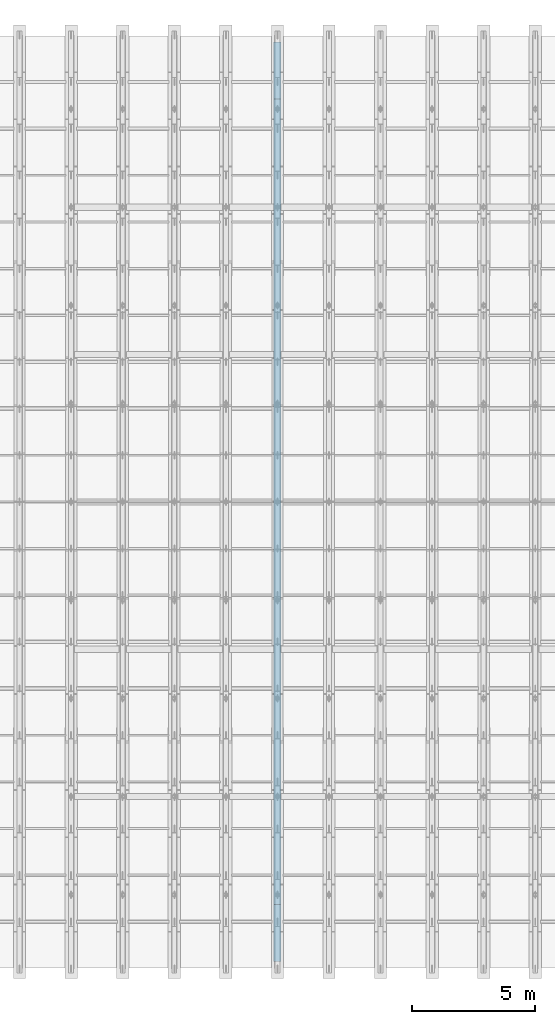
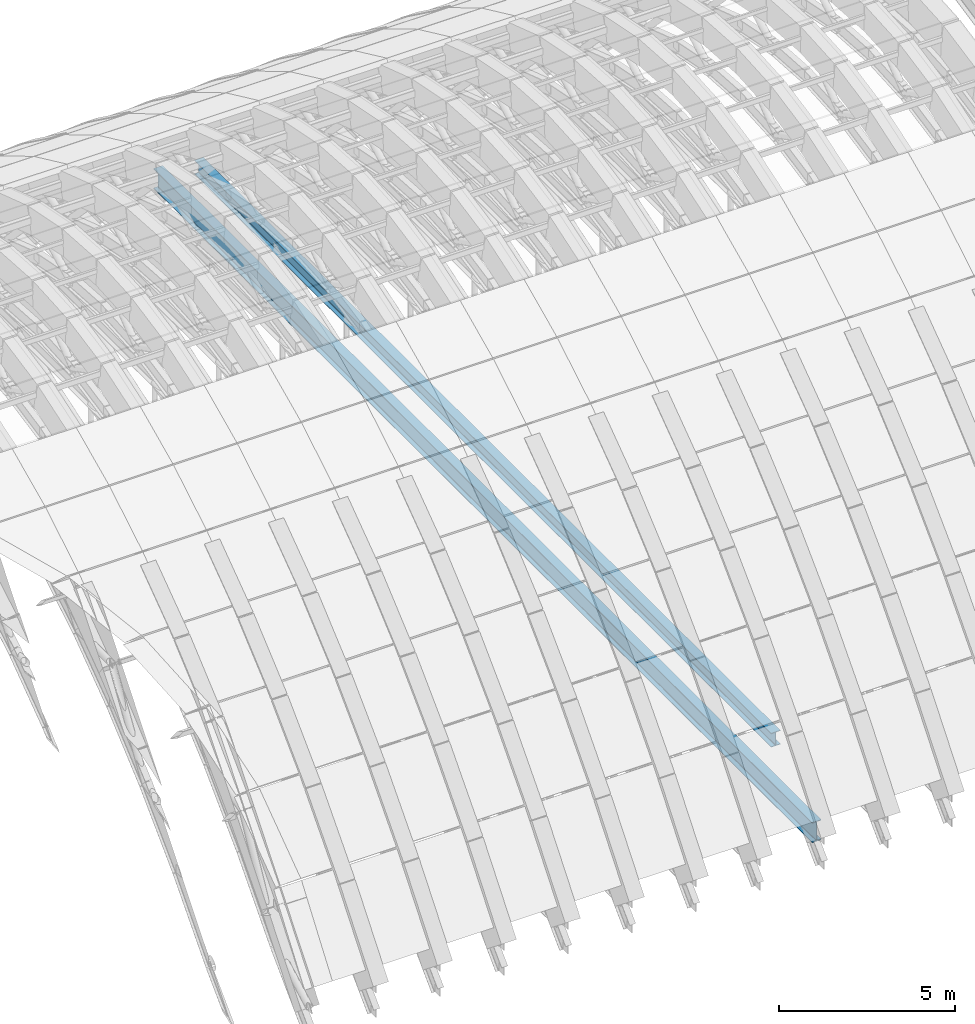
# One storey, part 23 of 67: 2 beams.
"""IFC4 building model written with IfcOpenShell, lengths in metres."""

from ifc_helpers import new_model, si_unit, direction, frame, origin, origin_2d, place, context, subcontext, project, spatial, i_section, extrude, material, material_profile, profile_set, type_object, element, save


model = new_model("IFC4")

# Units and contexts
model_context = context("Model", 3, precision=1e-05, world=origin(), true_north=direction((0.0, 1.0)))
body_context = subcontext(model_context, "Body", "Model", "MODEL_VIEW")
ifc_project = project(units=[si_unit("LENGTHUNIT", "METRE"), si_unit("AREAUNIT", "SQUARE_METRE"), si_unit("VOLUMEUNIT", "CUBIC_METRE"), si_unit("PLANEANGLEUNIT", "RADIAN"), si_unit("MASSUNIT", "GRAM", prefix="KILO")], contexts=[model_context])

# Site, building, storey
site_placement = place(None, origin())
site = spatial("IfcSite", under=ifc_project, at=site_placement, CompositionType="ELEMENT")
building_placement = place(site_placement, origin())
building = spatial("IfcBuilding", under=site, at=building_placement, Name="Shengluoqiao Park Theatre", CompositionType="ELEMENT")
storey_placement = place(building_placement, frame((0.0, 0.0, 28.60009765625)))
storey = spatial("IfcBuildingStorey", under=building, at=storey_placement, Name="Roof", CompositionType="ELEMENT", Elevation=28.60009765625)

# Beams
ifc_material_1 = material(Name="Steel Q355", Category="steel")
ifc_material_profile_1 = material_profile(ifc_material_1, i_section(OverallWidth=0.300048828125, OverallDepth=0.488037109375, WebThickness=0.010986328125, FlangeThickness=0.01806640625, FilletRadius=0.02197265625, at=origin_2d()), Name="HM 488x300x11x18")
ifc_profile_set_1 = profile_set([ifc_material_profile_1], Name="Steel Q355")
beam_type_1 = type_object("IfcBeamType", Name="STR-BM-G-HM488", PredefinedType="BEAM", material=ifc_profile_set_1)
beam_1_placement = place(storey_placement, frame((71.699951171875, 78.60009765625, -8.150146484375), z_axis=(0.0, 1.0, 0.0), x_axis=(-1.0, 0.0, 0.0)))
element("IfcBeam", 1, at=beam_1_placement, inside=storey, type_object=beam_type_1, Name="Barrel-Shell Acoustic Tie Truss Top Chord 14", PredefinedType="BEAM", context=body_context, shape_type="SweptSolid", body=[
    extrude(i_section(OverallWidth=0.300048828125, OverallDepth=0.488037109375, WebThickness=0.010986328125, FlangeThickness=0.01806640625, FilletRadius=0.02197265625, at=origin_2d()), origin(), (0.0, 0.0, 1.0), 32.7998046875),
])
ifc_material_2 = material(Name="Steel Q390", Category="steel")
ifc_material_profile_2 = material_profile(ifc_material_2, i_section(OverallWidth=0.300048828125, OverallDepth=0.699951171875, WebThickness=0.012939453125, FlangeThickness=0.02392578125, FilletRadius=0.02392578125, at=origin_2d()), Name="HN 700x300x13x24")
ifc_profile_set_2 = profile_set([ifc_material_profile_2], Name="Steel Q390")
beam_type_2 = type_object("IfcBeamType", Name="STR-BM-G-HN700", PredefinedType="BEAM", material=ifc_profile_set_2)
beam_2_placement = place(storey_placement, frame((71.699951171875, 76.280029296875, -9.9501953125), z_axis=(0.0, 1.0, 0.0), x_axis=(-1.0, 0.0, 0.0)))
element("IfcBeam", 2, at=beam_2_placement, inside=storey, type_object=beam_type_2, Name="Barrel-Shell Acoustic Tie Truss Bottom Chord 14", PredefinedType="BEAM", context=body_context, shape_type="SweptSolid", body=[
    extrude(i_section(OverallWidth=0.300048828125, OverallDepth=0.699951171875, WebThickness=0.012939453125, FlangeThickness=0.02392578125, FilletRadius=0.02392578125, at=origin_2d()), origin(), (0.0, 0.0, 1.0), 37.43994140625),
])

save(model, "model.ifc")
